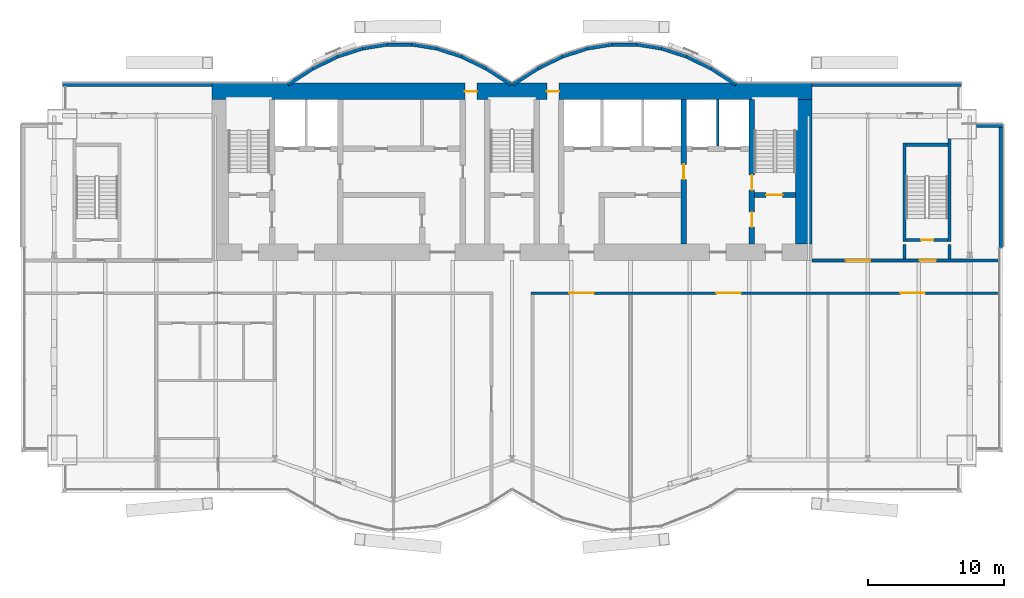
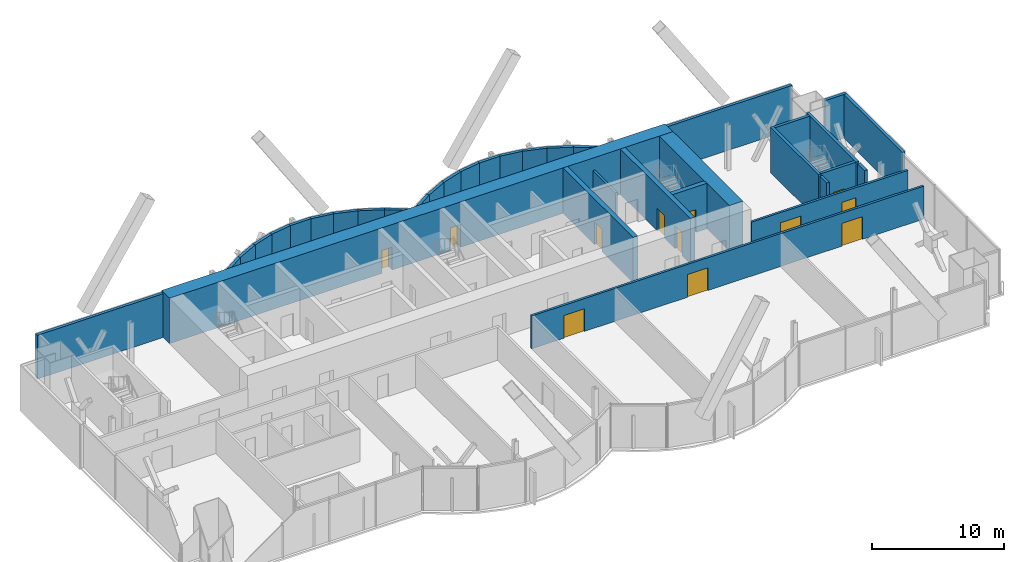
# One storey, part 16 of 20: 36 walls, 12 doors, 12 openings.
"""IFC4 building model written with IfcOpenShell, lengths in metres."""

from ifc_helpers import new_model, si_unit, direction, frame, frame_2d, origin, place, context, subcontext, project, spatial, rectangle, extrude, material, layer, layer_set, layer_usage, type_object, element, fill, save


model = new_model("IFC4")

# Units and contexts
model_context = context("Model", 3, precision=1e-05, world=origin(), true_north=direction((0.0, 1.0)))
body_context = subcontext(model_context, "Body", "Model", "MODEL_VIEW")
ifc_project = project(units=[si_unit("LENGTHUNIT", "METRE"), si_unit("AREAUNIT", "SQUARE_METRE"), si_unit("VOLUMEUNIT", "CUBIC_METRE"), si_unit("PLANEANGLEUNIT", "RADIAN"), si_unit("MASSUNIT", "GRAM", prefix="KILO")], contexts=[model_context])

# Site, building, storey
site_placement = place(None, origin())
site = spatial("IfcSite", under=ifc_project, at=site_placement, CompositionType="ELEMENT")
building_placement = place(site_placement, origin())
building = spatial("IfcBuilding", under=site, at=building_placement, Name="Bicima Exchange Tower", CompositionType="ELEMENT")
storey_placement = place(building_placement, frame((0.0, 0.0, 245.60009765625)))
storey = spatial("IfcBuildingStorey", under=building, at=storey_placement, Name="L55", CompositionType="ELEMENT", Elevation=245.60009765625)

# Wall
ifc_material_1 = material(Name="Gypsum board partition")
ifc_layer_1 = layer(ifc_material_1, 0.199951171875)
ifc_layer_set_1 = layer_set([ifc_layer_1], Name="Gypsum board partition")
wall_type_1 = type_object("IfcWallType", Name="Fire-rated gypsum partition 200 EI120", PredefinedType="PARTITIONING", material=ifc_layer_set_1)
wall_1_placement = place(storey_placement, frame((15.10009765625, -4.60009765625, 0.0), z_axis=(0.0, 0.0, 1.0), x_axis=(0.0, 1.0, 0.0)))
element("IfcWall", 1, at=wall_1_placement, inside=storey, type_object=wall_type_1, Name="partition wall 21", PredefinedType="PARTITIONING", context=body_context, shape_type="SweptSolid", body=[
    extrude(rectangle(XDim=3.400146484375, YDim=0.199951171875, at=frame_2d((1.7001953125, 0.0))), origin(), (0.0, 0.0, 1.0), 3.039306640625),
])

# Wall, openings, doors
ifc_layer_2 = layer(ifc_material_1, 0.199951171875)
ifc_layer_set_2 = layer_set([ifc_layer_2], Name="Gypsum board partition")
wall_type_2 = type_object("IfcWallType", Name="Fire-rated gypsum partition 200 EI60", PredefinedType="PARTITIONING", material=ifc_layer_set_2)
wall_2_placement = place(storey_placement, frame((1.39990234375, -15.39990234375, 0.0), z_axis=(0.0, 0.0, 1.0), x_axis=(1.0, 0.0, 0.0)))
wall_2 = element("IfcWall", 2, at=wall_2_placement, inside=storey, type_object=wall_type_2, Name="partition wall 5", PredefinedType="PARTITIONING", context=body_context, shape_type="SweptSolid", body=[
    extrude(rectangle(XDim=34.280029296875, YDim=0.199951171875, at=frame_2d((17.14013671875, 0.0))), origin(), (0.0, 0.0, 1.0), 3.039306640625),
])
opening_1_placement = place(wall_2_placement, frame((2.800048828125, 0.0, 0.0)))
opening_1 = element("IfcOpeningElement", 3, at=opening_1_placement, cuts=wall_2, Name="Opening L55-015", PredefinedType="OPENING", context=body_context, shape_type="SweptSolid", body=[
    extrude(rectangle(XDim=1.800048828125, YDim=2.10009765625, at=frame_2d((0.89990234375, 1.050048828125))), frame((0.0, 0.11181640625, 0.0), z_axis=(0.0, -1.0, 0.0), x_axis=(1.0, 0.0, 0.0)), (0.0, 0.0, 1.0), 0.223876953125),
])
opening_2_placement = place(wall_2_placement, frame((13.60009765625, 0.0, 0.0)))
opening_2 = element("IfcOpeningElement", 4, at=opening_2_placement, cuts=wall_2, Name="Opening L55-016", PredefinedType="OPENING", context=body_context, shape_type="SweptSolid", body=[
    extrude(rectangle(XDim=1.800048828125, YDim=2.10009765625, at=frame_2d((0.89990234375, 1.050048828125))), frame((0.0, 0.11181640625, 0.0), z_axis=(0.0, -1.0, 0.0), x_axis=(1.0, 0.0, 0.0)), (0.0, 0.0, 1.0), 0.223876953125),
])
opening_3_placement = place(wall_2_placement, frame((27.10009765625, 0.0, 0.0)))
opening_3 = element("IfcOpeningElement", 5, at=opening_3_placement, cuts=wall_2, Name="Opening L55-017", PredefinedType="OPENING", context=body_context, shape_type="SweptSolid", body=[
    extrude(rectangle(XDim=1.800048828125, YDim=2.10009765625, at=frame_2d((0.89990234375, 1.050048828125))), frame((0.0, 0.11181640625, 0.0), z_axis=(0.0, -1.0, 0.0), x_axis=(1.0, 0.0, 0.0)), (0.0, 0.0, 1.0), 0.223876953125),
])
ifc_material_2 = material(Name="Steel fire door leaf", Category="steel")
door_type_1 = type_object("IfcDoorType", Name="Door 1800 double swing FD30S", OperationType="DOUBLE_DOOR_SINGLE_SWING", PredefinedType="DOOR", material=ifc_material_2)
door_1_placement = place(opening_1_placement, origin())
door_1 = element("IfcDoor", 6, at=door_1_placement, inside=storey, type_object=door_type_1, Name="Door", OperationType="SINGLE_SWING_LEFT", OverallHeight=2.10009765625, OverallWidth=1.800048828125, PredefinedType="DOOR", context=body_context, shape_type="SweptSolid", body=[
    extrude(rectangle(XDim=1.800048828125, YDim=2.10009765625, at=frame_2d((0.89990234375, 1.050048828125))), frame((0.0, 0.02490234375, 0.0), z_axis=(0.0, -1.0, 0.0), x_axis=(1.0, 0.0, 0.0)), (0.0, 0.0, 1.0), 0.050048828125),
])
fill(opening_1, door_1)
door_2_placement = place(opening_2_placement, origin())
door_2 = element("IfcDoor", 7, at=door_2_placement, inside=storey, type_object=door_type_1, Name="Door", OperationType="SINGLE_SWING_LEFT", OverallHeight=2.10009765625, OverallWidth=1.800048828125, PredefinedType="DOOR", context=body_context, shape_type="SweptSolid", body=[
    extrude(rectangle(XDim=1.800048828125, YDim=2.10009765625, at=frame_2d((0.89990234375, 1.050048828125))), frame((0.0, 0.02490234375, 0.0), z_axis=(0.0, -1.0, 0.0), x_axis=(1.0, 0.0, 0.0)), (0.0, 0.0, 1.0), 0.050048828125),
])
fill(opening_2, door_2)
door_3_placement = place(opening_3_placement, origin())
door_3 = element("IfcDoor", 8, at=door_3_placement, inside=storey, type_object=door_type_1, Name="Door", OperationType="SINGLE_SWING_LEFT", OverallHeight=2.10009765625, OverallWidth=1.800048828125, PredefinedType="DOOR", context=body_context, shape_type="SweptSolid", body=[
    extrude(rectangle(XDim=1.800048828125, YDim=2.10009765625, at=frame_2d((0.89990234375, 1.050048828125))), frame((0.0, 0.02490234375, 0.0), z_axis=(0.0, -1.0, 0.0), x_axis=(1.0, 0.0, 0.0)), (0.0, 0.0, 1.0), 0.050048828125),
])
fill(opening_3, door_3)

wall_3_placement = place(storey_placement, frame((22.0, -13.0, 0.0), z_axis=(0.0, 0.0, 1.0), x_axis=(1.0, 0.0, 0.0)))
wall_3 = element("IfcWall", 9, at=wall_3_placement, inside=storey, type_object=wall_type_2, Name="partition wall 7", PredefinedType="PARTITIONING", context=body_context, shape_type="SweptSolid", body=[
    extrude(rectangle(XDim=13.679931640625, YDim=0.199951171875, at=frame_2d((6.83984375, 0.0))), origin(), (0.0, 0.0, 1.0), 3.039306640625),
])
opening_4_placement = place(wall_3_placement, frame((7.89990234375, 0.0, 0.0)))
opening_4 = element("IfcOpeningElement", 10, at=opening_4_placement, cuts=wall_3, Name="Opening L55-003", PredefinedType="OPENING", context=body_context, shape_type="SweptSolid", body=[
    extrude(rectangle(XDim=1.199951171875, YDim=2.10009765625, at=frame_2d((0.60009765625, 1.050048828125))), frame((0.0, 0.11181640625, 0.0), z_axis=(0.0, -1.0, 0.0), x_axis=(1.0, 0.0, 0.0)), (0.0, 0.0, 1.0), 0.223876953125),
])
opening_5_placement = place(wall_3_placement, frame((2.5, 0.0, 0.0)))
opening_5 = element("IfcOpeningElement", 11, at=opening_5_placement, cuts=wall_3, Name="Opening L55-006", PredefinedType="OPENING", context=body_context, shape_type="SweptSolid", body=[
    extrude(rectangle(XDim=1.800048828125, YDim=2.10009765625, at=frame_2d((0.89990234375, 1.050048828125))), frame((0.0, 0.11181640625, 0.0), z_axis=(0.0, -1.0, 0.0), x_axis=(1.0, 0.0, 0.0)), (0.0, 0.0, 1.0), 0.223876953125),
])
door_type_2 = type_object("IfcDoorType", Name="Door 1200 swing FD30S", OperationType="SINGLE_SWING_LEFT", PredefinedType="DOOR", material=ifc_material_2)
door_4_placement = place(opening_4_placement, origin())
door_4 = element("IfcDoor", 12, at=door_4_placement, inside=storey, type_object=door_type_2, Name="Door", OperationType="SINGLE_SWING_RIGHT", OverallHeight=2.10009765625, OverallWidth=1.199951171875, PredefinedType="DOOR", context=body_context, shape_type="SweptSolid", body=[
    extrude(rectangle(XDim=1.199951171875, YDim=2.10009765625, at=frame_2d((0.60009765625, 1.050048828125))), frame((0.0, 0.02490234375, 0.0), z_axis=(0.0, -1.0, 0.0), x_axis=(1.0, 0.0, 0.0)), (0.0, 0.0, 1.0), 0.050048828125),
])
fill(opening_4, door_4)
door_5_placement = place(opening_5_placement, origin())
door_5 = element("IfcDoor", 13, at=door_5_placement, inside=storey, type_object=door_type_1, Name="Door", OperationType="SINGLE_SWING_LEFT", OverallHeight=2.10009765625, OverallWidth=1.800048828125, PredefinedType="DOOR", context=body_context, shape_type="SweptSolid", body=[
    extrude(rectangle(XDim=1.800048828125, YDim=2.10009765625, at=frame_2d((0.89990234375, 1.050048828125))), frame((0.0, 0.02490234375, 0.0), z_axis=(0.0, -1.0, 0.0), x_axis=(1.0, 0.0, 0.0)), (0.0, 0.0, 1.0), 0.050048828125),
])
fill(opening_5, door_5)

ifc_material_3 = material(Name="Concrete C40/50", Category="concrete")
ifc_layer_3 = layer(ifc_material_3, 1.199951171875)
ifc_layer_set_3 = layer_set([ifc_layer_3], Name="Concrete C40/50")
wall_type_3 = type_object("IfcWallType", Name="RC core wall 1200 C40/50", PredefinedType="SHEAR", material=ifc_layer_set_3)
wall_4_placement = place(storey_placement, frame((-22.0, -0.60009765625, 0.0), z_axis=(0.0, 0.0, 1.0), x_axis=(1.0, 0.0, 0.0)))
wall_4 = element("IfcWall", 14, at=wall_4_placement, inside=storey, type_object=wall_type_3, Name="Core wall north", PredefinedType="SHEAR", context=body_context, shape_type="SweptSolid", body=[
    extrude(rectangle(XDim=44.0, YDim=1.199951171875, at=frame_2d((22.0, 0.0))), origin(), (0.0, 0.0, 1.0), 4.199951171875),
])
opening_6_placement = place(wall_4_placement, frame((18.550048828125, 0.0, 0.0)))
opening_6 = element("IfcOpeningElement", 15, at=opening_6_placement, cuts=wall_4, Name="Opening L55-C16", PredefinedType="OPENING", context=body_context, shape_type="SweptSolid", body=[
    extrude(rectangle(XDim=0.89990234375, YDim=2.10009765625, at=frame_2d((0.449951171875, 1.050048828125))), frame((0.0, 0.61181640625, 0.0), z_axis=(0.0, -1.0, 0.0), x_axis=(1.0, 0.0, 0.0)), (0.0, 0.0, 1.0), 1.223876953125),
])
opening_7_placement = place(wall_4_placement, frame((24.550048828125, 0.0, 0.0)))
opening_7 = element("IfcOpeningElement", 16, at=opening_7_placement, cuts=wall_4, Name="Opening L55-C17", PredefinedType="OPENING", context=body_context, shape_type="SweptSolid", body=[
    extrude(rectangle(XDim=0.89990234375, YDim=2.10009765625, at=frame_2d((0.449951171875, 1.050048828125))), frame((0.0, 0.61181640625, 0.0), z_axis=(0.0, -1.0, 0.0), x_axis=(1.0, 0.0, 0.0)), (0.0, 0.0, 1.0), 1.223876953125),
])
door_type_3 = type_object("IfcDoorType", Name="Door 900 swing FD30S", OperationType="SINGLE_SWING_LEFT", PredefinedType="DOOR", material=ifc_material_2)
door_6_placement = place(opening_6_placement, origin())
door_6 = element("IfcDoor", 17, at=door_6_placement, inside=storey, type_object=door_type_3, Name="Core door", OperationType="SINGLE_SWING_LEFT", OverallHeight=2.10009765625, OverallWidth=0.89990234375, PredefinedType="DOOR", context=body_context, shape_type="SweptSolid", body=[
    extrude(rectangle(XDim=0.89990234375, YDim=2.10009765625, at=frame_2d((0.449951171875, 1.050048828125))), frame((0.0, 0.02490234375, 0.0), z_axis=(0.0, -1.0, 0.0), x_axis=(1.0, 0.0, 0.0)), (0.0, 0.0, 1.0), 0.050048828125),
])
fill(opening_6, door_6)
door_7_placement = place(opening_7_placement, origin())
door_7 = element("IfcDoor", 18, at=door_7_placement, inside=storey, type_object=door_type_3, Name="Core door", OperationType="SINGLE_SWING_LEFT", OverallHeight=2.10009765625, OverallWidth=0.89990234375, PredefinedType="DOOR", context=body_context, shape_type="SweptSolid", body=[
    extrude(rectangle(XDim=0.89990234375, YDim=2.10009765625, at=frame_2d((0.449951171875, 1.050048828125))), frame((0.0, 0.02490234375, 0.0), z_axis=(0.0, -1.0, 0.0), x_axis=(1.0, 0.0, 0.0)), (0.0, 0.0, 1.0), 0.050048828125),
])
fill(opening_7, door_7)

# Walls
wall_5_placement = place(storey_placement, frame((21.39990234375, -11.800048828125, 0.0), z_axis=(0.0, 0.0, 1.0), x_axis=(0.0, 1.0, 0.0)))
element("IfcWall", 19, at=wall_5_placement, inside=storey, type_object=wall_type_3, Name="Core wall east", PredefinedType="SHEAR", context=body_context, shape_type="SweptSolid", body=[
    extrude(rectangle(XDim=10.60009765625, YDim=1.199951171875, at=frame_2d((5.300048828125, 0.0))), origin(), (0.0, 0.0, 1.0), 4.199951171875),
])
ifc_material_4 = material(Name="Concrete C50/60", Category="concrete")
ifc_layer_4 = layer(ifc_material_4, 0.25)
ifc_layer_set_4 = layer_set([ifc_layer_4], Name="Concrete C50/60")
wall_type_4 = type_object("IfcWallType", Name="RC core wall 250 C50/60", PredefinedType="SHEAR", material=ifc_layer_set_4)
for number, where, z_axis, x_axis, name in (
    (20, (28.800048828125, -12.89990234375, 0.0), (0.0, 0.0, 1.0), (0.0, 1.0, 0.0), "stair wall 27"),
    (21, (32.10009765625, -12.89990234375, 0.0), (0.0, 0.0, 1.0), (0.0, 1.0, 0.0), "stair wall 28"),
):
    element("IfcWall", number, at=place(storey_placement, frame(where, z_axis=z_axis, x_axis=x_axis)), inside=storey, type_object=wall_type_4, Name=name, PredefinedType="SHEAR", context=body_context, shape_type="SweptSolid", body=[
        extrude(rectangle(XDim=1.0498046875, YDim=0.25, at=frame_2d((0.52490234375, 0.0))), origin(), (0.0, 0.0, 1.0), 4.199951171875),
    ])

# Wall, opening, door
ifc_layer_5 = layer(ifc_material_3, 0.39990234375)
ifc_layer_set_5 = layer_set([ifc_layer_5], Name="Concrete C40/50")
wall_type_5 = type_object("IfcWallType", Name="RC core wall 400 C40/50", PredefinedType="SHEAR", material=ifc_layer_set_5)
wall_6_placement = place(storey_placement, frame((12.60009765625, -11.800048828125, 0.0), z_axis=(0.0, 0.0, 1.0), x_axis=(0.0, 1.0, 0.0)))
wall_6 = element("IfcWall", 22, at=wall_6_placement, inside=storey, type_object=wall_type_5, Name="shear wall 20", PredefinedType="SHEAR", context=body_context, shape_type="SweptSolid", body=[
    extrude(rectangle(XDim=10.60009765625, YDim=0.39990234375, at=frame_2d((5.300048828125, 0.0))), origin(), (0.0, 0.0, 1.0), 4.199951171875),
])
opening_8_placement = place(wall_6_placement, frame((4.75, 0.0, 0.0)))
opening_8 = element("IfcOpeningElement", 23, at=opening_8_placement, cuts=wall_6, Name="Opening L55-C09", PredefinedType="OPENING", context=body_context, shape_type="SweptSolid", body=[
    extrude(rectangle(XDim=1.10009765625, YDim=2.10009765625, at=frame_2d((0.550048828125, 1.050048828125))), frame((0.0, 0.2119140625, 0.0), z_axis=(0.0, -1.0, 0.0), x_axis=(1.0, 0.0, 0.0)), (0.0, 0.0, 1.0), 0.423828125),
])
door_type_4 = type_object("IfcDoorType", Name="Door 1100 swing FD60S", OperationType="SINGLE_SWING_LEFT", PredefinedType="DOOR", material=ifc_material_2)
door_8_placement = place(opening_8_placement, frame((1.10009765625, 0.0, 0.0), z_axis=(0.0, 0.0, 1.0), x_axis=(-1.0, 0.0, 0.0)))
door_8 = element("IfcDoor", 24, at=door_8_placement, inside=storey, type_object=door_type_4, Name="Core door", OperationType="SINGLE_SWING_RIGHT", OverallHeight=2.10009765625, OverallWidth=1.10009765625, PredefinedType="DOOR", context=body_context, shape_type="SweptSolid", body=[
    extrude(rectangle(XDim=1.10009765625, YDim=2.10009765625, at=frame_2d((0.550048828125, 1.050048828125))), frame((0.0, 0.02490234375, 0.0), z_axis=(0.0, -1.0, 0.0), x_axis=(1.0, 0.0, 0.0)), (0.0, 0.0, 1.0), 0.050048828125),
])
fill(opening_8, door_8)

ifc_layer_6 = layer(ifc_material_4, 0.39990234375)
ifc_layer_set_6 = layer_set([ifc_layer_6], Name="Concrete C50/60")
wall_type_6 = type_object("IfcWallType", Name="RC core wall 400 C50/60", PredefinedType="SHEAR", material=ifc_layer_set_6)
wall_7_placement = place(storey_placement, frame((17.800048828125, -8.199951171875, 0.0), z_axis=(0.0, 0.0, 1.0), x_axis=(1.0, 0.0, 0.0)))
wall_7 = element("IfcWall", 25, at=wall_7_placement, inside=storey, type_object=wall_type_6, Name="stair wall 5", PredefinedType="SHEAR", context=body_context, shape_type="SweptSolid", body=[
    extrude(rectangle(XDim=3.0, YDim=0.39990234375, at=frame_2d((1.5, 0.0))), origin(), (0.0, 0.0, 1.0), 4.199951171875),
])
opening_9_placement = place(wall_7_placement, frame((0.85009765625, 0.0, 0.0)))
opening_9 = element("IfcOpeningElement", 26, at=opening_9_placement, cuts=wall_7, Name="Opening L55-C04", PredefinedType="OPENING", context=body_context, shape_type="SweptSolid", body=[
    extrude(rectangle(XDim=1.199951171875, YDim=2.10009765625, at=frame_2d((0.60009765625, 1.050048828125))), frame((0.0, 0.2119140625, 0.0), z_axis=(0.0, -1.0, 0.0), x_axis=(1.0, 0.0, 0.0)), (0.0, 0.0, 1.0), 0.423828125),
])
door_type_5 = type_object("IfcDoorType", Name="Door 1200 swing FD60S", OperationType="SINGLE_SWING_LEFT", PredefinedType="DOOR", material=ifc_material_2)
door_9_placement = place(opening_9_placement, origin())
door_9 = element("IfcDoor", 27, at=door_9_placement, inside=storey, type_object=door_type_5, Name="Core door", OperationType="SINGLE_SWING_RIGHT", OverallHeight=2.10009765625, OverallWidth=1.199951171875, PredefinedType="DOOR", context=body_context, shape_type="SweptSolid", body=[
    extrude(rectangle(XDim=1.199951171875, YDim=2.10009765625, at=frame_2d((0.60009765625, 1.050048828125))), frame((0.0, 0.02490234375, 0.0), z_axis=(0.0, -1.0, 0.0), x_axis=(1.0, 0.0, 0.0)), (0.0, 0.0, 1.0), 0.050048828125),
])
fill(opening_9, door_9)

# Wall, openings, doors
wall_8_placement = place(storey_placement, frame((17.60009765625, -11.800048828125, 0.0), z_axis=(0.0, 0.0, 1.0), x_axis=(0.0, 1.0, 0.0)))
wall_8 = element("IfcWall", 28, at=wall_8_placement, inside=storey, type_object=wall_type_6, Name="stair wall 22", PredefinedType="SHEAR", context=body_context, shape_type="SweptSolid", body=[
    extrude(rectangle(XDim=10.60009765625, YDim=0.39990234375, at=frame_2d((5.300048828125, 0.0))), origin(), (0.0, 0.0, 1.0), 4.199951171875),
])
opening_10_placement = place(wall_8_placement, frame((1.25, 0.0, 0.0)))
opening_10 = element("IfcOpeningElement", 29, at=opening_10_placement, cuts=wall_8, Name="Opening L55-C05", PredefinedType="OPENING", context=body_context, shape_type="SweptSolid", body=[
    extrude(rectangle(XDim=1.10009765625, YDim=2.10009765625, at=frame_2d((0.550048828125, 1.050048828125))), frame((0.0, 0.2119140625, 0.0), z_axis=(0.0, -1.0, 0.0), x_axis=(1.0, 0.0, 0.0)), (0.0, 0.0, 1.0), 0.423828125),
])
opening_11_placement = place(wall_8_placement, frame((3.949951171875, 0.0, 0.0)))
opening_11 = element("IfcOpeningElement", 30, at=opening_11_placement, cuts=wall_8, Name="Opening L55-C08", PredefinedType="OPENING", context=body_context, shape_type="SweptSolid", body=[
    extrude(rectangle(XDim=1.10009765625, YDim=2.10009765625, at=frame_2d((0.550048828125, 1.050048828125))), frame((0.0, 0.2119140625, 0.0), z_axis=(0.0, -1.0, 0.0), x_axis=(1.0, 0.0, 0.0)), (0.0, 0.0, 1.0), 0.423828125),
])
door_10_placement = place(opening_10_placement, origin())
door_10 = element("IfcDoor", 31, at=door_10_placement, inside=storey, type_object=door_type_4, Name="Core door", OperationType="SINGLE_SWING_LEFT", OverallHeight=2.10009765625, OverallWidth=1.10009765625, PredefinedType="DOOR", context=body_context, shape_type="SweptSolid", body=[
    extrude(rectangle(XDim=1.10009765625, YDim=2.10009765625, at=frame_2d((0.550048828125, 1.050048828125))), frame((0.0, 0.02490234375, 0.0), z_axis=(0.0, -1.0, 0.0), x_axis=(1.0, 0.0, 0.0)), (0.0, 0.0, 1.0), 0.050048828125),
])
fill(opening_10, door_10)
door_11_placement = place(opening_11_placement, origin())
door_11 = element("IfcDoor", 32, at=door_11_placement, inside=storey, type_object=door_type_4, Name="Core door", OperationType="SINGLE_SWING_RIGHT", OverallHeight=2.10009765625, OverallWidth=1.10009765625, PredefinedType="DOOR", context=body_context, shape_type="SweptSolid", body=[
    extrude(rectangle(XDim=1.10009765625, YDim=2.10009765625, at=frame_2d((0.550048828125, 1.050048828125))), frame((0.0, 0.02490234375, 0.0), z_axis=(0.0, -1.0, 0.0), x_axis=(1.0, 0.0, 0.0)), (0.0, 0.0, 1.0), 0.050048828125),
])
fill(opening_11, door_11)

# Walls
ifc_layer_7 = layer(ifc_material_4, 0.25)
ifc_layer_set_7 = layer_set([ifc_layer_7], Name="Concrete C50/60")
wall_type_7 = type_object("IfcWallType", Name="RC stair enclosure wall 250 C50/60", PredefinedType="SHEAR", material=ifc_layer_set_7)
wall_9_placement = place(storey_placement, frame((28.800048828125, -11.625, 0.0), z_axis=(0.0, 0.0, 1.0), x_axis=(0.0, 1.0, 0.0)))
element("IfcWall", 33, at=wall_9_placement, inside=storey, type_object=wall_type_7, Name="East end exit stair wall W", PredefinedType="SHEAR", context=body_context, shape_type="SweptSolid", body=[
    extrude(rectangle(XDim=7.25, YDim=0.25, at=frame_2d((3.625, 0.0))), origin(), (0.0, 0.0, 1.0), 4.199951171875),
])
wall_10_placement = place(storey_placement, frame((32.10009765625, -11.625, 0.0), z_axis=(0.0, 0.0, 1.0), x_axis=(0.0, 1.0, 0.0)))
element("IfcWall", 34, at=wall_10_placement, inside=storey, type_object=wall_type_7, Name="East end exit stair wall E", PredefinedType="SHEAR", context=body_context, shape_type="SweptSolid", body=[
    extrude(rectangle(XDim=7.52490234375, YDim=0.25, at=frame_2d((3.762451171875, 0.0))), origin(), (0.0, 0.0, 1.0), 4.199951171875),
])

# Wall, opening, door
wall_11_placement = place(storey_placement, frame((28.925048828125, -11.5, 0.0), z_axis=(0.0, 0.0, 1.0), x_axis=(1.0, 0.0, 0.0)))
wall_11 = element("IfcWall", 35, at=wall_11_placement, inside=storey, type_object=wall_type_7, Name="East end exit stair wall S", PredefinedType="SHEAR", context=body_context, shape_type="SweptSolid", body=[
    extrude(rectangle(XDim=3.050048828125, YDim=0.25, at=frame_2d((1.52490234375, 0.0))), origin(), (0.0, 0.0, 1.0), 4.199951171875),
])
opening_12_placement = place(wall_11_placement, frame((1.10009765625, 0.0, 0.0)))
opening_12 = element("IfcOpeningElement", 36, at=opening_12_placement, cuts=wall_11, Name="Opening L55-004", PredefinedType="OPENING", context=body_context, shape_type="SweptSolid", body=[
    extrude(rectangle(XDim=0.89990234375, YDim=2.10009765625, at=frame_2d((0.449951171875, 1.050048828125))), frame((0.0, 0.136962890625, 0.0), z_axis=(0.0, -1.0, 0.0), x_axis=(1.0, 0.0, 0.0)), (0.0, 0.0, 1.0), 0.27392578125),
])
door_type_6 = type_object("IfcDoorType", Name="Door 900 swing FD60S", OperationType="SINGLE_SWING_LEFT", PredefinedType="DOOR", material=ifc_material_2)
door_12_placement = place(opening_12_placement, origin())
door_12 = element("IfcDoor", 37, at=door_12_placement, inside=storey, type_object=door_type_6, Name="Door", OperationType="SINGLE_SWING_LEFT", OverallHeight=2.10009765625, OverallWidth=0.89990234375, PredefinedType="DOOR", context=body_context, shape_type="SweptSolid", body=[
    extrude(rectangle(XDim=0.89990234375, YDim=2.10009765625, at=frame_2d((0.449951171875, 1.050048828125))), frame((0.0, 0.02490234375, 0.0), z_axis=(0.0, -1.0, 0.0), x_axis=(1.0, 0.0, 0.0)), (0.0, 0.0, 1.0), 0.050048828125),
])
fill(opening_12, door_12)

# Walls
wall_12_placement = place(storey_placement, frame((28.925048828125, -4.5, 0.0), z_axis=(0.0, 0.0, 1.0), x_axis=(1.0, 0.0, 0.0)))
element("IfcWall", 38, at=wall_12_placement, inside=storey, type_object=wall_type_7, Name="East end exit stair wall N", PredefinedType="SHEAR", context=body_context, shape_type="SweptSolid", body=[
    extrude(rectangle(XDim=3.050048828125, YDim=0.25, at=frame_2d((1.52490234375, 0.0))), origin(), (0.0, 0.0, 1.0), 4.199951171875),
])
ifc_layer_8 = layer(ifc_material_3, 0.25)
ifc_layer_set_8 = layer_set([ifc_layer_8], Name="Concrete C40/50")
ifc_layer_usage = layer_usage(ifc_layer_set_8, "AXIS2", "POSITIVE", -0.125)
wall_type_8 = type_object("IfcWallType", Name="Rear backup wall 250", PredefinedType="STANDARD", material=ifc_layer_set_8)
wall_13_placement = place(storey_placement, frame((33.0, -0.125, 0.0), z_axis=(0.0, 0.0, 1.0), x_axis=(-1.0, 0.0, 0.0)))
element("IfcWall", 39, at=wall_13_placement, inside=storey, type_object=wall_type_8, material=ifc_layer_usage, Name="Rear backup wall L55 1", PredefinedType="STANDARD", context=body_context, shape_type="SweptSolid", body=[
    extrude(rectangle(XDim=11.0, YDim=0.25, at=frame_2d((5.5, 0.0))), origin(), (0.0, 0.0, 1.0), 4.0498046875),
])
wall_14_placement = place(storey_placement, frame((16.43212890625, -0.10498046875, 0.0), z_axis=(0.0, 0.0, 1.0), x_axis=(-0.83981312244, 0.542875602121, 0.0)))
element("IfcWall", 40, at=wall_14_placement, inside=storey, type_object=wall_type_8, material=ifc_layer_usage, Name="Rear backup wall L55 2", PredefinedType="STANDARD", context=body_context, shape_type="SweptSolid", body=[
    extrude(rectangle(XDim=2.182861328125, YDim=0.25, at=frame_2d((1.09130859375, 0.0))), origin(), (0.0, 0.0, 1.0), 4.0498046875),
])
wall_15_placement = place(storey_placement, frame((14.6123046875, 1.07275390625, 0.0), z_axis=(0.0, 0.0, 1.0), x_axis=(-0.89982408427, 0.436252928206, 0.0)))
element("IfcWall", 41, at=wall_15_placement, inside=storey, type_object=wall_type_8, material=ifc_layer_usage, Name="Rear backup wall L55 3", PredefinedType="STANDARD", context=body_context, shape_type="SweptSolid", body=[
    extrude(rectangle(XDim=2.03759765625, YDim=0.25, at=frame_2d((1.018798828125, 0.0))), origin(), (0.0, 0.0, 1.0), 4.0498046875),
])
wall_16_placement = place(storey_placement, frame((12.794921875, 1.955078125, 0.0), z_axis=(0.0, 0.0, 1.0), x_axis=(-0.951495806175, 0.307661714928, 0.0)))
element("IfcWall", 42, at=wall_16_placement, inside=storey, type_object=wall_type_8, material=ifc_layer_usage, Name="Rear backup wall L55 4", PredefinedType="STANDARD", context=body_context, shape_type="SweptSolid", body=[
    extrude(rectangle(XDim=1.9267578125, YDim=0.25, at=frame_2d((0.96337890625, 0.0))), origin(), (0.0, 0.0, 1.0), 4.0498046875),
])
wall_17_placement = place(storey_placement, frame((10.97998046875, 2.543212890625, 0.0), z_axis=(0.0, 0.0, 1.0), x_axis=(-0.987181718931, 0.159600293885, 0.0)))
element("IfcWall", 43, at=wall_17_placement, inside=storey, type_object=wall_type_8, material=ifc_layer_usage, Name="Rear backup wall L55 5", PredefinedType="STANDARD", context=body_context, shape_type="SweptSolid", body=[
    extrude(rectangle(XDim=1.857177734375, YDim=0.25, at=frame_2d((0.9287109375, 0.0))), origin(), (0.0, 0.0, 1.0), 4.0498046875),
])
wall_18_placement = place(storey_placement, frame((9.166748046875, 2.837890625, 0.0), z_axis=(0.0, 0.0, 1.0), x_axis=(-1.0, 0.0, 0.0)))
element("IfcWall", 44, at=wall_18_placement, inside=storey, type_object=wall_type_8, material=ifc_layer_usage, Name="Rear backup wall L55 6", PredefinedType="STANDARD", context=body_context, shape_type="SweptSolid", body=[
    extrude(rectangle(XDim=1.83349609375, YDim=0.25, at=frame_2d((0.916748046875, 0.0))), origin(), (0.0, 0.0, 1.0), 4.0498046875),
])
wall_19_placement = place(storey_placement, frame((7.353271484375, 2.839599609375, 0.0), z_axis=(0.0, 0.0, 1.0), x_axis=(-0.987181718931, -0.159600293885, 0.0)))
element("IfcWall", 45, at=wall_19_placement, inside=storey, type_object=wall_type_8, material=ifc_layer_usage, Name="Rear backup wall L55 7", PredefinedType="STANDARD", context=body_context, shape_type="SweptSolid", body=[
    extrude(rectangle(XDim=1.857177734375, YDim=0.25, at=frame_2d((0.9287109375, 0.0))), origin(), (0.0, 0.0, 1.0), 4.0498046875),
])
wall_20_placement = place(storey_placement, frame((5.538330078125, 2.5478515625, 0.0), z_axis=(0.0, 0.0, 1.0), x_axis=(-0.951495806175, -0.307661714928, 0.0)))
element("IfcWall", 46, at=wall_20_placement, inside=storey, type_object=wall_type_8, material=ifc_layer_usage, Name="Rear backup wall L55 8", PredefinedType="STANDARD", context=body_context, shape_type="SweptSolid", body=[
    extrude(rectangle(XDim=1.9267578125, YDim=0.25, at=frame_2d((0.96337890625, 0.0))), origin(), (0.0, 0.0, 1.0), 4.0498046875),
])
wall_21_placement = place(storey_placement, frame((3.72119140625, 1.961669921875, 0.0), z_axis=(0.0, 0.0, 1.0), x_axis=(-0.89982408427, -0.436252928206, 0.0)))
element("IfcWall", 47, at=wall_21_placement, inside=storey, type_object=wall_type_8, material=ifc_layer_usage, Name="Rear backup wall L55 9", PredefinedType="STANDARD", context=body_context, shape_type="SweptSolid", body=[
    extrude(rectangle(XDim=2.03759765625, YDim=0.25, at=frame_2d((1.018798828125, 0.0))), origin(), (0.0, 0.0, 1.0), 4.0498046875),
])
for number, where, z_axis, x_axis, name in (
    (48, (1.901123046875, 1.080078125, 0.0), (0.0, 0.0, 1.0), (-0.83981312244, -0.542875602121, 0.0), "Rear backup wall L55 10"),
    (49, (-0.06787109375, -0.10498046875, 0.0), (0.0, 0.0, 1.0), (-0.83981312244, 0.542875602121, 0.0), "Rear backup wall L55 11"),
):
    element("IfcWall", number, at=place(storey_placement, frame(where, z_axis=z_axis, x_axis=x_axis)), inside=storey, type_object=wall_type_8, material=ifc_layer_usage, Name=name, PredefinedType="STANDARD", context=body_context, shape_type="SweptSolid", body=[
        extrude(rectangle(XDim=2.182861328125, YDim=0.25, at=frame_2d((1.09130859375, 0.0))), origin(), (0.0, 0.0, 1.0), 4.0498046875),
    ])
wall_22_placement = place(storey_placement, frame((-1.8876953125, 1.07275390625, 0.0), z_axis=(0.0, 0.0, 1.0), x_axis=(-0.89982408427, 0.436252928206, 0.0)))
element("IfcWall", 50, at=wall_22_placement, inside=storey, type_object=wall_type_8, material=ifc_layer_usage, Name="Rear backup wall L55 12", PredefinedType="STANDARD", context=body_context, shape_type="SweptSolid", body=[
    extrude(rectangle(XDim=2.03759765625, YDim=0.25, at=frame_2d((1.018798828125, 0.0))), origin(), (0.0, 0.0, 1.0), 4.0498046875),
])
wall_23_placement = place(storey_placement, frame((-3.705078125, 1.955078125, 0.0), z_axis=(0.0, 0.0, 1.0), x_axis=(-0.951495806175, 0.307661714928, 0.0)))
element("IfcWall", 51, at=wall_23_placement, inside=storey, type_object=wall_type_8, material=ifc_layer_usage, Name="Rear backup wall L55 13", PredefinedType="STANDARD", context=body_context, shape_type="SweptSolid", body=[
    extrude(rectangle(XDim=1.9267578125, YDim=0.25, at=frame_2d((0.96337890625, 0.0))), origin(), (0.0, 0.0, 1.0), 4.0498046875),
])
wall_24_placement = place(storey_placement, frame((-5.52001953125, 2.543212890625, 0.0), z_axis=(0.0, 0.0, 1.0), x_axis=(-0.987181718931, 0.159600293885, 0.0)))
element("IfcWall", 52, at=wall_24_placement, inside=storey, type_object=wall_type_8, material=ifc_layer_usage, Name="Rear backup wall L55 14", PredefinedType="STANDARD", context=body_context, shape_type="SweptSolid", body=[
    extrude(rectangle(XDim=1.857177734375, YDim=0.25, at=frame_2d((0.9287109375, 0.0))), origin(), (0.0, 0.0, 1.0), 4.0498046875),
])
wall_25_placement = place(storey_placement, frame((-7.333251953125, 2.837890625, 0.0), z_axis=(0.0, 0.0, 1.0), x_axis=(-1.0, 0.0, 0.0)))
element("IfcWall", 53, at=wall_25_placement, inside=storey, type_object=wall_type_8, material=ifc_layer_usage, Name="Rear backup wall L55 15", PredefinedType="STANDARD", context=body_context, shape_type="SweptSolid", body=[
    extrude(rectangle(XDim=1.83349609375, YDim=0.25, at=frame_2d((0.916748046875, 0.0))), origin(), (0.0, 0.0, 1.0), 4.0498046875),
])
wall_26_placement = place(storey_placement, frame((-9.146728515625, 2.839599609375, 0.0), z_axis=(0.0, 0.0, 1.0), x_axis=(-0.987181718931, -0.159600293885, 0.0)))
element("IfcWall", 54, at=wall_26_placement, inside=storey, type_object=wall_type_8, material=ifc_layer_usage, Name="Rear backup wall L55 16", PredefinedType="STANDARD", context=body_context, shape_type="SweptSolid", body=[
    extrude(rectangle(XDim=1.857177734375, YDim=0.25, at=frame_2d((0.9287109375, 0.0))), origin(), (0.0, 0.0, 1.0), 4.0498046875),
])
wall_27_placement = place(storey_placement, frame((-10.961669921875, 2.5478515625, 0.0), z_axis=(0.0, 0.0, 1.0), x_axis=(-0.951495806175, -0.307661714928, 0.0)))
element("IfcWall", 55, at=wall_27_placement, inside=storey, type_object=wall_type_8, material=ifc_layer_usage, Name="Rear backup wall L55 17", PredefinedType="STANDARD", context=body_context, shape_type="SweptSolid", body=[
    extrude(rectangle(XDim=1.9267578125, YDim=0.25, at=frame_2d((0.96337890625, 0.0))), origin(), (0.0, 0.0, 1.0), 4.0498046875),
])
wall_28_placement = place(storey_placement, frame((-12.77880859375, 1.961669921875, 0.0), z_axis=(0.0, 0.0, 1.0), x_axis=(-0.89982408427, -0.436252928206, 0.0)))
element("IfcWall", 56, at=wall_28_placement, inside=storey, type_object=wall_type_8, material=ifc_layer_usage, Name="Rear backup wall L55 18", PredefinedType="STANDARD", context=body_context, shape_type="SweptSolid", body=[
    extrude(rectangle(XDim=2.03759765625, YDim=0.25, at=frame_2d((1.018798828125, 0.0))), origin(), (0.0, 0.0, 1.0), 4.0498046875),
])
wall_29_placement = place(storey_placement, frame((-14.598876953125, 1.080078125, 0.0), z_axis=(0.0, 0.0, 1.0), x_axis=(-0.83981312244, -0.542875602121, 0.0)))
element("IfcWall", 57, at=wall_29_placement, inside=storey, type_object=wall_type_8, material=ifc_layer_usage, Name="Rear backup wall L55 19", PredefinedType="STANDARD", context=body_context, shape_type="SweptSolid", body=[
    extrude(rectangle(XDim=2.182861328125, YDim=0.25, at=frame_2d((1.09130859375, 0.0))), origin(), (0.0, 0.0, 1.0), 4.0498046875),
])
wall_30_placement = place(storey_placement, frame((-22.0, -0.125, 0.0), z_axis=(0.0, 0.0, 1.0), x_axis=(-1.0, 0.0, 0.0)))
element("IfcWall", 58, at=wall_30_placement, inside=storey, type_object=wall_type_8, material=ifc_layer_usage, Name="Rear backup wall L55 20", PredefinedType="STANDARD", context=body_context, shape_type="SweptSolid", body=[
    extrude(rectangle(XDim=11.0, YDim=0.25, at=frame_2d((5.5, 0.0))), origin(), (0.0, 0.0, 1.0), 4.0498046875),
])
wall_31_placement = place(storey_placement, frame((35.875, -12.090087890625, 0.0), z_axis=(0.0, 0.0, 1.0), x_axis=(0.0, 1.0, 0.0)))
element("IfcWall", 59, at=wall_31_placement, inside=storey, type_object=wall_type_8, material=ifc_layer_usage, Name="Rear backup wall L55 50", PredefinedType="STANDARD", context=body_context, shape_type="SweptSolid", body=[
    extrude(rectangle(XDim=9.090087890625, YDim=0.25, at=frame_2d((4.544921875, 0.0))), origin(), (0.0, 0.0, 1.0), 4.0498046875),
])
wall_32_placement = place(storey_placement, frame((36.0, -3.125, 0.0), z_axis=(0.0, 0.0, 1.0), x_axis=(-1.0, 0.0, 0.0)))
element("IfcWall", 60, at=wall_32_placement, inside=storey, type_object=wall_type_8, material=ifc_layer_usage, Name="Rear backup wall L55 51", PredefinedType="STANDARD", context=body_context, shape_type="SweptSolid", body=[
    extrude(rectangle(XDim=1.89990234375, YDim=0.25, at=frame_2d((0.949951171875, 0.0))), origin(), (0.0, 0.0, 1.0), 4.0498046875),
])

save(model, "model.ifc")
